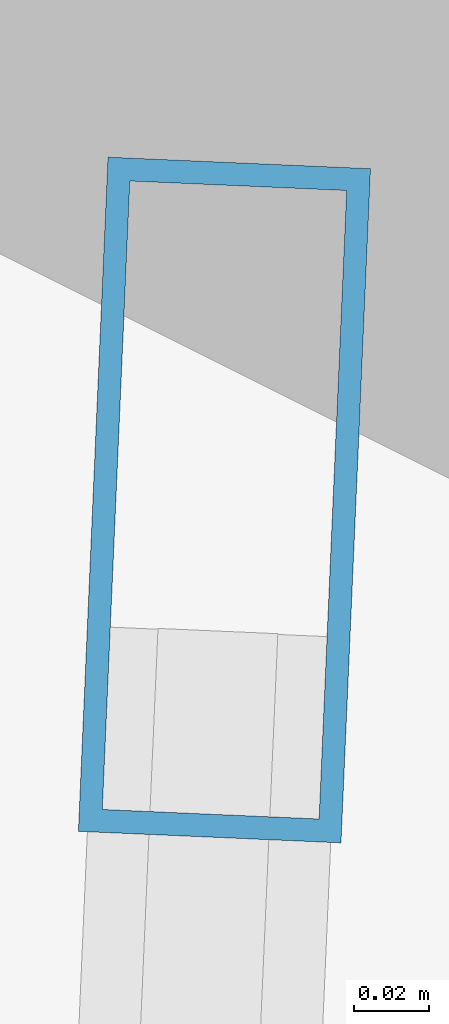
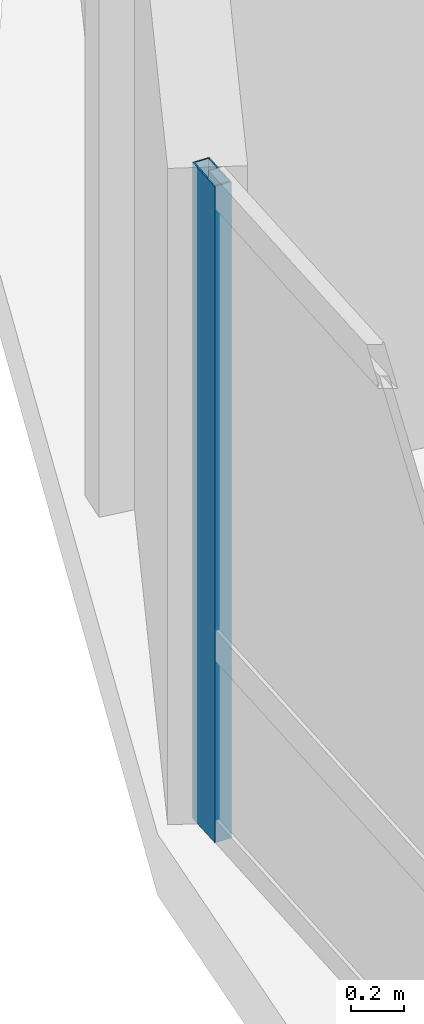
# One storey, part 6 of 17: 1 member, 1 element without a shape of its own.
"""IFC4 building model written with IfcOpenShell, lengths in metres."""

from ifc_helpers import new_model, si_unit, direction, frame, origin, origin_2d, place, context, subcontext, project, spatial, hollow_rectangle, extrude, material, layer, layer_set, material_profile, profile_set, type_object, element, aggregate, save


model = new_model("IFC4")

# Units and contexts
model_context = context("Model", 3, precision=1e-05, world=origin(), true_north=direction((0.0, 1.0)))
body_context = subcontext(model_context, "Body", "Model", "MODEL_VIEW")
ifc_project = project(units=[si_unit("LENGTHUNIT", "METRE"), si_unit("AREAUNIT", "SQUARE_METRE"), si_unit("VOLUMEUNIT", "CUBIC_METRE"), si_unit("PLANEANGLEUNIT", "RADIAN"), si_unit("MASSUNIT", "GRAM", prefix="KILO"), si_unit("THERMODYNAMICTEMPERATUREUNIT", "KELVIN"), si_unit("POWERUNIT", "WATT")], contexts=[model_context])

# Site, building, storey
site_placement = place(None, origin())
site = spatial("IfcSite", under=ifc_project, at=site_placement, CompositionType="ELEMENT")
building_placement = place(site_placement, origin())
building = spatial("IfcBuilding", under=site, at=building_placement, Name="Ocrelia Relay Tower", CompositionType="ELEMENT")
storey_placement = place(building_placement, frame((0.0, 0.0, 76.199951171875)))
storey = spatial("IfcBuildingStorey", under=building, at=storey_placement, Name="L17", CompositionType="ELEMENT", Elevation=76.199951171875)

# Curtain wall, member
ifc_material_1 = material(Name="Aluminium and solar-control low-E glass", Category="aluminium")
ifc_layer = layer(ifc_material_1, 0.179931640625, Name="Aluminium and solar-control low-E glass")
ifc_layer_set = layer_set([ifc_layer], Name="Aluminium and solar-control low-E glass")
curtain_wall_type = type_object("IfcCurtainWallType", Name="CW-SYS-Z1-DATA", PredefinedType="NOTDEFINED", material=ifc_layer_set)
curtain_wall_placement = place(storey_placement, origin())
curtain_wall = element("IfcCurtainWall", 1, at=curtain_wall_placement, inside=storey, type_object=curtain_wall_type, Name="L17 Elliptical Tower Curtain Wall Bay 09", PredefinedType="NOTDEFINED")
ifc_material_2 = material(Name="Anodised bronze aluminium", Category="aluminium")
ifc_material_profile = material_profile(ifc_material_2, hollow_rectangle(XDim=0.070068359375, YDim=0.179931640625, WallThickness=0.006103515625, at=origin_2d()), Name="CW-MUL-180x70")
ifc_profile_set = profile_set([ifc_material_profile], Name="Anodised bronze aluminium")
member_type = type_object("IfcMemberType", Name="CW-SYS-Z1-DATA-MUL", PredefinedType="MULLION", material=ifc_profile_set)
member_placement = place(storey_placement, frame((6.987060546875, 28.39111328125, 0.0), z_axis=(0.0, 0.0, 1.0), x_axis=(0.999040470312, -0.04379656013, 0.0)))
member = element("IfcMember", 2, at=member_placement, type_object=member_type, Name="CW-Z1 mullion 1", PredefinedType="MULLION", context=body_context, shape_type="SweptSolid", body=[
    extrude(hollow_rectangle(XDim=0.070068359375, YDim=0.179931640625, WallThickness=0.006103515625, at=origin_2d()), origin(), (0.0, 0.0, 1.0), 3.0),
])
aggregate(curtain_wall, [member])

save(model, "model.ifc")
